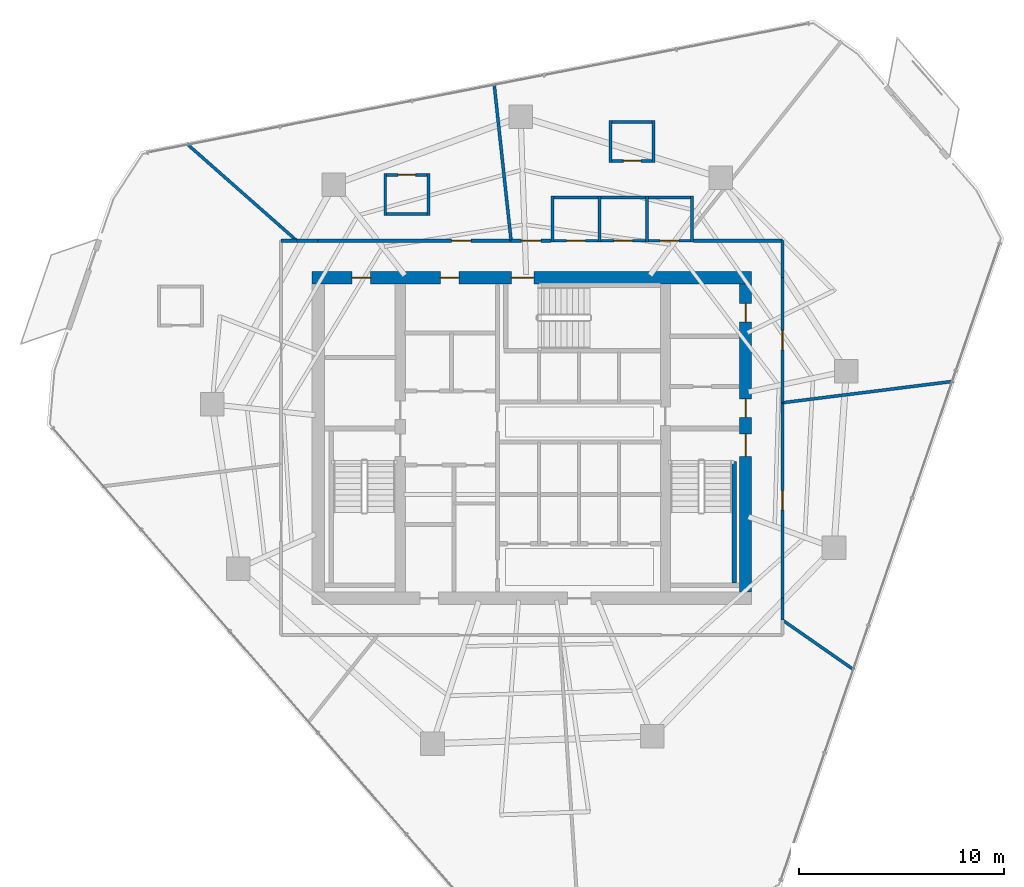
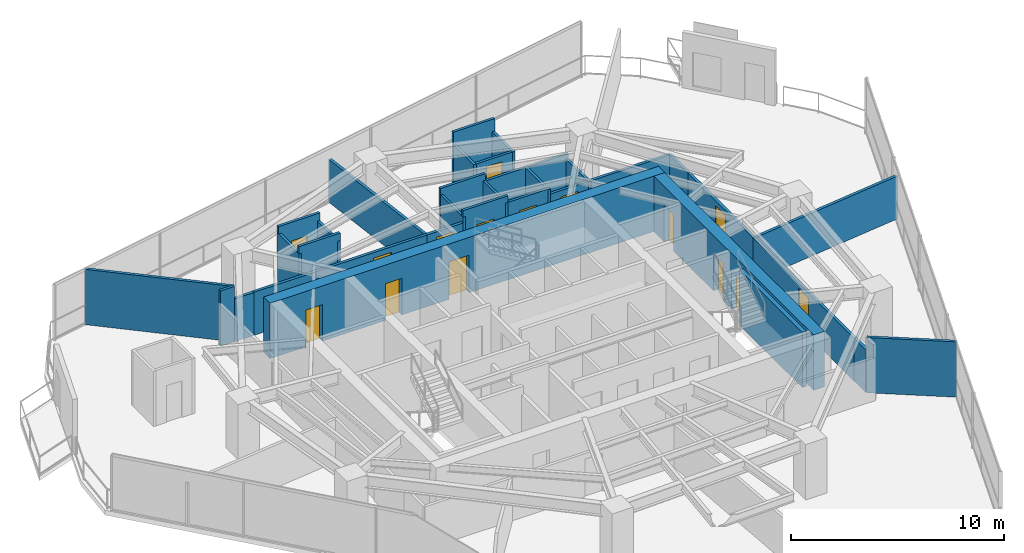
# One storey, part 24 of 27: 34 walls, 15 doors, 15 openings.
"""IFC4 building model written with IfcOpenShell, lengths in metres."""

from ifc_helpers import new_model, si_unit, direction, frame, frame_2d, origin, place, context, subcontext, project, spatial, rectangle, extrude, material, layer, layer_set, type_object, element, fill, save


model = new_model("IFC4")

# Units and contexts
model_context = context("Model", 3, precision=1e-05, world=origin(), true_north=direction((0.0, 1.0)))
body_context = subcontext(model_context, "Body", "Model", "MODEL_VIEW")
ifc_project = project(units=[si_unit("LENGTHUNIT", "METRE"), si_unit("AREAUNIT", "SQUARE_METRE"), si_unit("VOLUMEUNIT", "CUBIC_METRE"), si_unit("PLANEANGLEUNIT", "RADIAN"), si_unit("MASSUNIT", "GRAM", prefix="KILO")], contexts=[model_context])

# Site, building, storey
site_placement = place(None, origin())
site = spatial("IfcSite", under=ifc_project, at=site_placement, CompositionType="ELEMENT")
building_placement = place(site_placement, origin())
building = spatial("IfcBuilding", under=site, at=building_placement, Name="Qarnah Convention Tower", CompositionType="ELEMENT")
storey_placement = place(building_placement, frame((0.0, 0.0, 107.39990234375)))
storey = spatial("IfcBuildingStorey", under=building, at=storey_placement, Name="L28", CompositionType="ELEMENT", Elevation=107.39990234375)

# Wall, openings, doors
ifc_material_1 = material(Name="Concrete C60/75", Category="concrete")
ifc_layer_1 = layer(ifc_material_1, 0.60009765625)
ifc_layer_set_1 = layer_set([ifc_layer_1], Name="Concrete C60/75")
wall_type_1 = type_object("IfcWallType", Name="WL-CORE-600", PredefinedType="SHEAR", material=ifc_layer_set_1)
wall_1_placement = place(storey_placement, frame((26.5, 34.199951171875, 0.0), z_axis=(0.0, 0.0, 1.0), x_axis=(1.0, 0.0, 0.0)))
wall_1 = element("IfcWall", 1, at=wall_1_placement, inside=storey, type_object=wall_type_1, Name="L28 core north shear wall", PredefinedType="SHEAR", context=body_context, shape_type="SweptSolid", body=[
    extrude(rectangle(XDim=21.39990234375, YDim=0.60009765625, at=frame_2d((10.699951171875, 0.0))), origin(), (0.0, 0.0, 1.0), 3.170166015625),
])
opening_1_placement = place(wall_1_placement, frame((9.699951171875, 0.0, 0.0)))
opening_1 = element("IfcOpeningElement", 2, at=opening_1_placement, cuts=wall_1, Name="Opening D-2803", PredefinedType="OPENING", context=body_context, shape_type="SweptSolid", body=[
    extrude(rectangle(XDim=1.10009765625, YDim=2.14990234375, at=frame_2d((0.550048828125, 1.074951171875))), frame((0.0, 0.31005859375, 0.0), z_axis=(0.0, -1.0, 0.0), x_axis=(1.0, 0.0, 0.0)), (0.0, 0.0, 1.0), 0.6201171875),
])
opening_2_placement = place(wall_1_placement, frame((1.949951171875, 0.0, 0.0)))
opening_2 = element("IfcOpeningElement", 3, at=opening_2_placement, cuts=wall_1, Name="Opening D-2809", PredefinedType="OPENING", context=body_context, shape_type="SweptSolid", body=[
    extrude(rectangle(XDim=0.89990234375, YDim=2.10009765625, at=frame_2d((0.449951171875, 1.050048828125))), frame((0.0, 0.31005859375, 0.0), z_axis=(0.0, -1.0, 0.0), x_axis=(1.0, 0.0, 0.0)), (0.0, 0.0, 1.0), 0.6201171875),
])
opening_3_placement = place(wall_1_placement, frame((6.25, 0.0, 0.0)))
opening_3 = element("IfcOpeningElement", 4, at=opening_3_placement, cuts=wall_1, Name="Opening D-2810", PredefinedType="OPENING", context=body_context, shape_type="SweptSolid", body=[
    extrude(rectangle(XDim=0.89990234375, YDim=2.10009765625, at=frame_2d((0.449951171875, 1.050048828125))), frame((0.0, 0.31005859375, 0.0), z_axis=(0.0, -1.0, 0.0), x_axis=(1.0, 0.0, 0.0)), (0.0, 0.0, 1.0), 0.6201171875),
])
ifc_material_2 = material(Name="Structural steel S355JR", Category="steel")
door_type_1 = type_object("IfcDoorType", Name="DT-RISER-900", OperationType="NOTDEFINED", PredefinedType="DOOR", material=ifc_material_2)
door_1_placement = place(opening_2_placement, origin())
door_1 = element("IfcDoor", 5, at=door_1_placement, inside=storey, type_object=door_type_1, Name="Door D-2809", OperationType="SINGLE_SWING_RIGHT", OverallHeight=2.10009765625, OverallWidth=0.89990234375, PredefinedType="DOOR", context=body_context, shape_type="SweptSolid", body=[
    extrude(rectangle(XDim=0.89990234375, YDim=2.10009765625, at=frame_2d((0.449951171875, 1.050048828125))), frame((0.0, 0.02490234375, 0.0), z_axis=(0.0, -1.0, 0.0), x_axis=(1.0, 0.0, 0.0)), (0.0, 0.0, 1.0), 0.050048828125),
])
fill(opening_2, door_1)
door_2_placement = place(opening_3_placement, origin())
door_2 = element("IfcDoor", 6, at=door_2_placement, inside=storey, type_object=door_type_1, Name="Door D-2810", OperationType="SINGLE_SWING_LEFT", OverallHeight=2.10009765625, OverallWidth=0.89990234375, PredefinedType="DOOR", context=body_context, shape_type="SweptSolid", body=[
    extrude(rectangle(XDim=0.89990234375, YDim=2.10009765625, at=frame_2d((0.449951171875, 1.050048828125))), frame((0.0, 0.02490234375, 0.0), z_axis=(0.0, -1.0, 0.0), x_axis=(1.0, 0.0, 0.0)), (0.0, 0.0, 1.0), 0.050048828125),
])
fill(opening_3, door_2)
door_type_2 = type_object("IfcDoorType", Name="DT-STAIR-1100", OperationType="NOTDEFINED", PredefinedType="DOOR", material=ifc_material_2)
door_3_placement = place(opening_1_placement, origin())
door_3 = element("IfcDoor", 7, at=door_3_placement, inside=storey, type_object=door_type_2, Name="Door D-2803", OperationType="SINGLE_SWING_RIGHT", OverallHeight=2.14990234375, OverallWidth=1.10009765625, PredefinedType="DOOR", context=body_context, shape_type="SweptSolid", body=[
    extrude(rectangle(XDim=1.10009765625, YDim=2.14990234375, at=frame_2d((0.550048828125, 1.074951171875))), frame((0.0, 0.02490234375, 0.0), z_axis=(0.0, -1.0, 0.0), x_axis=(1.0, 0.0, 0.0)), (0.0, 0.0, 1.0), 0.050048828125),
])
fill(opening_1, door_3)

wall_2_placement = place(storey_placement, frame((47.60009765625, 18.89990234375, 0.0), z_axis=(0.0, 0.0, 1.0), x_axis=(0.0, 1.0, 0.0)))
wall_2 = element("IfcWall", 8, at=wall_2_placement, inside=storey, type_object=wall_type_1, Name="L28 core east shear wall", PredefinedType="SHEAR", context=body_context, shape_type="SweptSolid", body=[
    extrude(rectangle(XDim=15.0, YDim=0.60009765625, at=frame_2d((7.5, 0.0))), origin(), (0.0, 0.0, 1.0), 3.170166015625),
])
opening_4_placement = place(wall_2_placement, frame((6.60009765625, 0.0, 0.0)))
opening_4 = element("IfcOpeningElement", 9, at=opening_4_placement, cuts=wall_2, Name="Opening D-2802", PredefinedType="OPENING", context=body_context, shape_type="SweptSolid", body=[
    extrude(rectangle(XDim=1.10009765625, YDim=2.14990234375, at=frame_2d((0.550048828125, 1.074951171875))), frame((0.0, 0.31005859375, 0.0), z_axis=(0.0, -1.0, 0.0), x_axis=(1.0, 0.0, 0.0)), (0.0, 0.0, 1.0), 0.6201171875),
])
opening_5_placement = place(wall_2_placement, frame((8.5, 0.0, 0.0)))
opening_5 = element("IfcOpeningElement", 10, at=opening_5_placement, cuts=wall_2, Name="Opening D-2806", PredefinedType="OPENING", context=body_context, shape_type="SweptSolid", body=[
    extrude(rectangle(XDim=0.89990234375, YDim=2.10009765625, at=frame_2d((0.449951171875, 1.050048828125))), frame((0.0, 0.31005859375, 0.0), z_axis=(0.0, -1.0, 0.0), x_axis=(1.0, 0.0, 0.0)), (0.0, 0.0, 1.0), 0.6201171875),
])
opening_6_placement = place(wall_2_placement, frame((13.14990234375, 0.0, 0.0)))
opening_6 = element("IfcOpeningElement", 11, at=opening_6_placement, cuts=wall_2, Name="Opening D-2812", PredefinedType="OPENING", context=body_context, shape_type="SweptSolid", body=[
    extrude(rectangle(XDim=0.89990234375, YDim=2.10009765625, at=frame_2d((0.449951171875, 1.050048828125))), frame((0.0, 0.31005859375, 0.0), z_axis=(0.0, -1.0, 0.0), x_axis=(1.0, 0.0, 0.0)), (0.0, 0.0, 1.0), 0.6201171875),
])
door_4_placement = place(opening_5_placement, origin())
door_4 = element("IfcDoor", 12, at=door_4_placement, inside=storey, type_object=door_type_1, Name="Door D-2806", OperationType="SINGLE_SWING_LEFT", OverallHeight=2.10009765625, OverallWidth=0.89990234375, PredefinedType="DOOR", context=body_context, shape_type="SweptSolid", body=[
    extrude(rectangle(XDim=0.89990234375, YDim=2.10009765625, at=frame_2d((0.449951171875, 1.050048828125))), frame((0.0, 0.02490234375, 0.0), z_axis=(0.0, -1.0, 0.0), x_axis=(1.0, 0.0, 0.0)), (0.0, 0.0, 1.0), 0.050048828125),
])
fill(opening_5, door_4)
door_5_placement = place(opening_6_placement, origin())
door_5 = element("IfcDoor", 13, at=door_5_placement, inside=storey, type_object=door_type_1, Name="Door D-2812", OperationType="SINGLE_SWING_LEFT", OverallHeight=2.10009765625, OverallWidth=0.89990234375, PredefinedType="DOOR", context=body_context, shape_type="SweptSolid", body=[
    extrude(rectangle(XDim=0.89990234375, YDim=2.10009765625, at=frame_2d((0.449951171875, 1.050048828125))), frame((0.0, 0.02490234375, 0.0), z_axis=(0.0, -1.0, 0.0), x_axis=(1.0, 0.0, 0.0)), (0.0, 0.0, 1.0), 0.050048828125),
])
fill(opening_6, door_5)
door_6_placement = place(opening_4_placement, origin())
door_6 = element("IfcDoor", 14, at=door_6_placement, inside=storey, type_object=door_type_2, Name="Door D-2802", OperationType="SINGLE_SWING_LEFT", OverallHeight=2.14990234375, OverallWidth=1.10009765625, PredefinedType="DOOR", context=body_context, shape_type="SweptSolid", body=[
    extrude(rectangle(XDim=1.10009765625, YDim=2.14990234375, at=frame_2d((0.550048828125, 1.074951171875))), frame((0.0, 0.02490234375, 0.0), z_axis=(0.0, -1.0, 0.0), x_axis=(1.0, 0.0, 0.0)), (0.0, 0.0, 1.0), 0.050048828125),
])
fill(opening_4, door_6)

# Walls
ifc_layer_2 = layer(ifc_material_1, 0.219970703125)
ifc_layer_set_2 = layer_set([ifc_layer_2], Name="Concrete C60/75")
wall_type_2 = type_object("IfcWallType", Name="WL-CORE-STAIR-220", PredefinedType="SHEAR", material=ifc_layer_set_2)
wall_3_placement = place(storey_placement, frame((47.06005859375, 19.35009765625, 0.0), z_axis=(0.0, 0.0, 1.0), x_axis=(0.0, 1.0, 0.0)))
element("IfcWall", 15, at=wall_3_placement, inside=storey, type_object=wall_type_2, Name="L28 stair shaft shear wall SW-L28-ST2E", PredefinedType="SHEAR", context=body_context, shape_type="SweptSolid", body=[
    extrude(rectangle(XDim=5.89990234375, YDim=0.219970703125, at=frame_2d((2.949951171875, 0.0))), origin(), (0.0, 0.0, 1.0), 3.170166015625),
])
ifc_material_3 = material(Name="Gypsum partition board")
ifc_layer_3 = layer(ifc_material_3, 0.14990234375)
ifc_layer_set_3 = layer_set([ifc_layer_3], Name="Gypsum partition board")
wall_type_3 = type_object("IfcWallType", Name="WL-SUITE-150", PredefinedType="PARTITIONING", material=ifc_layer_set_3)
wall_4_placement = place(storey_placement, frame((45.070068359375, 36.0, 0.0), z_axis=(0.0, 0.0, 1.0), x_axis=(1.0, 0.0, 0.0)))
element("IfcWall", 16, at=wall_4_placement, inside=storey, type_object=wall_type_3, Name="L28 interior wall IW-L28-R-24", PredefinedType="PARTITIONING", context=body_context, shape_type="SweptSolid", body=[
    extrude(rectangle(XDim=4.329833984375, YDim=0.14990234375, at=frame_2d((2.1650390625, 0.0))), origin(), (0.0, 0.0, 1.0), 2.455078125),
])
wall_5_placement = place(storey_placement, frame((49.39990234375, 36.0, 0.0), z_axis=(0.0, 0.0, 1.0), x_axis=(0.0, -1.0, 0.0)))
element("IfcWall", 17, at=wall_5_placement, inside=storey, type_object=wall_type_3, Name="L28 interior wall IW-L28-R-25", PredefinedType="PARTITIONING", context=body_context, shape_type="SweptSolid", body=[
    extrude(rectangle(XDim=1.800048828125, YDim=0.14990234375, at=frame_2d((0.89990234375, 0.0))), origin(), (0.0, 0.0, 1.0), 2.455078125),
])

# Wall, opening, door
wall_6_placement = place(storey_placement, frame((49.39990234375, 34.199951171875, 0.0), z_axis=(0.0, 0.0, 1.0), x_axis=(0.0, -1.0, 0.0)))
wall_6 = element("IfcWall", 18, at=wall_6_placement, inside=storey, type_object=wall_type_3, Name="L28 interior wall IW-L28-R-26", PredefinedType="PARTITIONING", context=body_context, shape_type="SweptSolid", body=[
    extrude(rectangle(XDim=6.0849609375, YDim=0.14990234375, at=frame_2d((3.04248046875, 0.0))), origin(), (0.0, 0.0, 1.0), 2.455078125),
])
opening_7_placement = place(wall_6_placement, frame((2.568115234375, 0.0, 0.0)))
opening_7 = element("IfcOpeningElement", 19, at=opening_7_placement, cuts=wall_6, Name="Opening D-2819", PredefinedType="OPENING", context=body_context, shape_type="SweptSolid", body=[
    extrude(rectangle(XDim=0.949951171875, YDim=2.14990234375, at=frame_2d((0.47509765625, 1.074951171875))), frame((0.0, 0.0849609375, 0.0), z_axis=(0.0, -1.0, 0.0), x_axis=(1.0, 0.0, 0.0)), (0.0, 0.0, 1.0), 0.169921875),
])
ifc_material_4 = material(Name="Oak timber veneer", Category="wood")
door_type_3 = type_object("IfcDoorType", Name="DT-HOTEL-950", OperationType="NOTDEFINED", PredefinedType="DOOR", material=ifc_material_4)
door_7_placement = place(opening_7_placement, origin())
door_7 = element("IfcDoor", 20, at=door_7_placement, inside=storey, type_object=door_type_3, Name="Door D-2819", OperationType="SINGLE_SWING_RIGHT", OverallHeight=2.14990234375, OverallWidth=0.949951171875, PredefinedType="DOOR", context=body_context, shape_type="SweptSolid", body=[
    extrude(rectangle(XDim=0.949951171875, YDim=2.14990234375, at=frame_2d((0.47509765625, 1.074951171875))), frame((0.0, 0.02490234375, 0.0), z_axis=(0.0, -1.0, 0.0), x_axis=(1.0, 0.0, 0.0)), (0.0, 0.0, 1.0), 0.050048828125),
])
fill(opening_7, door_7)

# Walls
wall_7_placement = place(storey_placement, frame((49.39990234375, 28.114990234375, 0.0), z_axis=(0.0, 0.0, 1.0), x_axis=(0.992264421006, 0.124142332848, 0.0)))
element("IfcWall", 21, at=wall_7_placement, inside=storey, type_object=wall_type_3, Name="L28 interior wall IW-L28-R-27", PredefinedType="PARTITIONING", context=body_context, shape_type="SweptSolid", body=[
    extrude(rectangle(XDim=8.377685546875, YDim=0.14990234375, at=frame_2d((4.18896484375, 0.0))), origin(), (0.0, 0.0, 1.0), 2.455078125),
])
wall_8_placement = place(storey_placement, frame((35.364990234375, 43.6240234375, 0.0), z_axis=(0.0, 0.0, 1.0), x_axis=(0.107702119784, -0.994183209169, 0.0)))
element("IfcWall", 22, at=wall_8_placement, inside=storey, type_object=wall_type_3, Name="L28 interior wall IW-L28-R-28", PredefinedType="PARTITIONING", context=body_context, shape_type="SweptSolid", body=[
    extrude(rectangle(XDim=7.668701171875, YDim=0.14990234375, at=frame_2d((3.83447265625, 0.0))), origin(), (0.0, 0.0, 1.0), 2.455078125),
])

# Wall, opening, door
wall_9_placement = place(storey_placement, frame((36.19091796875, 36.0, 0.0), z_axis=(0.0, 0.0, 1.0), x_axis=(1.0, 0.0, 0.0)))
wall_9 = element("IfcWall", 23, at=wall_9_placement, inside=storey, type_object=wall_type_3, Name="L28 interior wall IW-L28-R-29", PredefinedType="PARTITIONING", context=body_context, shape_type="SweptSolid", body=[
    extrude(rectangle(XDim=1.93896484375, YDim=0.14990234375, at=frame_2d((0.969482421875, 0.0))), origin(), (0.0, 0.0, 1.0), 2.467041015625),
])
opening_8_placement = place(wall_9_placement, frame((0.4951171875, 0.0, 0.0)))
opening_8 = element("IfcOpeningElement", 24, at=opening_8_placement, cuts=wall_9, Name="Opening D-2820", PredefinedType="OPENING", context=body_context, shape_type="SweptSolid", body=[
    extrude(rectangle(XDim=0.949951171875, YDim=2.14990234375, at=frame_2d((0.47509765625, 1.074951171875))), frame((0.0, 0.0849609375, 0.0), z_axis=(0.0, -1.0, 0.0), x_axis=(1.0, 0.0, 0.0)), (0.0, 0.0, 1.0), 0.169921875),
])
door_8_placement = place(opening_8_placement, origin())
door_8 = element("IfcDoor", 25, at=door_8_placement, inside=storey, type_object=door_type_3, Name="Door D-2820", OperationType="SINGLE_SWING_LEFT", OverallHeight=2.14990234375, OverallWidth=0.949951171875, PredefinedType="DOOR", context=body_context, shape_type="SweptSolid", body=[
    extrude(rectangle(XDim=0.949951171875, YDim=2.14990234375, at=frame_2d((0.47509765625, 1.074951171875))), frame((0.0, 0.02490234375, 0.0), z_axis=(0.0, -1.0, 0.0), x_axis=(1.0, 0.0, 0.0)), (0.0, 0.0, 1.0), 0.050048828125),
])
fill(opening_8, door_8)

# Walls
wall_10_placement = place(storey_placement, frame((20.403076171875, 40.722900390625, 0.0), z_axis=(0.0, 0.0, 1.0), x_axis=(0.750042356005, -0.661389797471, 0.0)))
element("IfcWall", 26, at=wall_10_placement, inside=storey, type_object=wall_type_3, Name="L28 interior wall IW-L28-R-30", PredefinedType="PARTITIONING", context=body_context, shape_type="SweptSolid", body=[
    extrude(rectangle(XDim=7.140869140625, YDim=0.14990234375, at=frame_2d((3.5703125, 0.0))), origin(), (0.0, 0.0, 1.0), 3.170166015625),
])
wall_11_placement = place(storey_placement, frame((25.759033203125, 36.0, 0.0), z_axis=(0.0, 0.0, 1.0), x_axis=(1.0, 0.0, 0.0)))
element("IfcWall", 27, at=wall_11_placement, inside=storey, type_object=wall_type_3, Name="L28 interior wall IW-L28-R-31", PredefinedType="PARTITIONING", context=body_context, shape_type="SweptSolid", body=[
    extrude(rectangle(XDim=1.041015625, YDim=0.14990234375, at=frame_2d((0.5205078125, 0.0))), origin(), (0.0, 0.0, 1.0), 2.455078125),
])

# Wall, opening, door
wall_12_placement = place(storey_placement, frame((26.800048828125, 36.0, 0.0), z_axis=(0.0, 0.0, 1.0), x_axis=(1.0, 0.0, 0.0)))
wall_12 = element("IfcWall", 28, at=wall_12_placement, inside=storey, type_object=wall_type_3, Name="L28 interior wall IW-L28-R-32", PredefinedType="PARTITIONING", context=body_context, shape_type="SweptSolid", body=[
    extrude(rectangle(XDim=9.390869140625, YDim=0.14990234375, at=frame_2d((4.6953125, 0.0))), origin(), (0.0, 0.0, 1.0), 2.467041015625),
])
opening_9_placement = place(wall_12_placement, frame((6.4951171875, 0.0, 0.0)))
opening_9 = element("IfcOpeningElement", 29, at=opening_9_placement, cuts=wall_12, Name="Opening D-2822", PredefinedType="OPENING", context=body_context, shape_type="SweptSolid", body=[
    extrude(rectangle(XDim=0.949951171875, YDim=2.14990234375, at=frame_2d((0.47509765625, 1.074951171875))), frame((0.0, 0.0849609375, 0.0), z_axis=(0.0, -1.0, 0.0), x_axis=(1.0, 0.0, 0.0)), (0.0, 0.0, 1.0), 0.169921875),
])
door_9_placement = place(opening_9_placement, origin())
door_9 = element("IfcDoor", 30, at=door_9_placement, inside=storey, type_object=door_type_3, Name="Door D-2822", OperationType="SINGLE_SWING_LEFT", OverallHeight=2.14990234375, OverallWidth=0.949951171875, PredefinedType="DOOR", context=body_context, shape_type="SweptSolid", body=[
    extrude(rectangle(XDim=0.949951171875, YDim=2.14990234375, at=frame_2d((0.47509765625, 1.074951171875))), frame((0.0, 0.02490234375, 0.0), z_axis=(0.0, -1.0, 0.0), x_axis=(1.0, 0.0, 0.0)), (0.0, 0.0, 1.0), 0.050048828125),
])
fill(opening_9, door_9)

# Walls
wall_13_placement = place(storey_placement, frame((25.0, 36.0, 0.0), z_axis=(0.0, 0.0, 1.0), x_axis=(1.0, 0.0, 0.0)))
element("IfcWall", 31, at=wall_13_placement, inside=storey, type_object=wall_type_3, Name="L28 interior wall IW-L28-R-35", PredefinedType="PARTITIONING", context=body_context, shape_type="SweptSolid", body=[
    extrude(rectangle(XDim=0.759033203125, YDim=0.14990234375, at=frame_2d((0.37939453125, 0.0))), origin(), (0.0, 0.0, 1.0), 3.170166015625),
])
wall_14_placement = place(storey_placement, frame((52.882080078125, 15.10791015625, 0.0), z_axis=(0.0, 0.0, 1.0), x_axis=(-0.82028696704, 0.571952176065, 0.0)))
element("IfcWall", 32, at=wall_14_placement, inside=storey, type_object=wall_type_3, Name="L28 interior wall IW-L28-R-42", PredefinedType="PARTITIONING", context=body_context, shape_type="SweptSolid", body=[
    extrude(rectangle(XDim=4.2451171875, YDim=0.14990234375, at=frame_2d((2.12255859375, 0.0))), origin(), (0.0, 0.0, 1.0), 3.170166015625),
])

# Wall, opening, door
wall_15_placement = place(storey_placement, frame((49.39990234375, 28.114990234375, 0.0), z_axis=(0.0, 0.0, 1.0), x_axis=(0.0, -1.0, 0.0)))
wall_15 = element("IfcWall", 33, at=wall_15_placement, inside=storey, type_object=wall_type_3, Name="L28 interior wall IW-L28-R-45", PredefinedType="PARTITIONING", context=body_context, shape_type="SweptSolid", body=[
    extrude(rectangle(XDim=9.514892578125, YDim=0.14990234375, at=frame_2d((4.75732421875, 0.0))), origin(), (0.0, 0.0, 1.0), 2.455078125),
])
opening_10_placement = place(wall_15_placement, frame((4.281982421875, 0.0, 0.0)))
opening_10 = element("IfcOpeningElement", 34, at=opening_10_placement, cuts=wall_15, Name="Opening D-2829", PredefinedType="OPENING", context=body_context, shape_type="SweptSolid", body=[
    extrude(rectangle(XDim=0.949951171875, YDim=2.14990234375, at=frame_2d((0.47509765625, 1.074951171875))), frame((0.0, 0.0849609375, 0.0), z_axis=(0.0, -1.0, 0.0), x_axis=(1.0, 0.0, 0.0)), (0.0, 0.0, 1.0), 0.169921875),
])
door_10_placement = place(opening_10_placement, origin())
door_10 = element("IfcDoor", 35, at=door_10_placement, inside=storey, type_object=door_type_3, Name="Door D-2829", OperationType="SINGLE_SWING_RIGHT", OverallHeight=2.14990234375, OverallWidth=0.949951171875, PredefinedType="DOOR", context=body_context, shape_type="SweptSolid", body=[
    extrude(rectangle(XDim=0.949951171875, YDim=2.14990234375, at=frame_2d((0.47509765625, 1.074951171875))), frame((0.0, 0.02490234375, 0.0), z_axis=(0.0, -1.0, 0.0), x_axis=(1.0, 0.0, 0.0)), (0.0, 0.0, 1.0), 0.050048828125),
])
fill(opening_10, door_10)

# Wall
wall_16_placement = place(storey_placement, frame((49.39990234375, 18.60009765625, 0.0), z_axis=(0.0, 0.0, 1.0), x_axis=(0.0, -1.0, 0.0)))
element("IfcWall", 36, at=wall_16_placement, inside=storey, type_object=wall_type_3, Name="L28 interior wall IW-L28-R-46", PredefinedType="PARTITIONING", context=body_context, shape_type="SweptSolid", body=[
    extrude(rectangle(XDim=1.064208984375, YDim=0.14990234375, at=frame_2d((0.5322265625, 0.0))), origin(), (0.0, 0.0, 1.0), 2.455078125),
])

# Wall, opening, door
ifc_layer_4 = layer(ifc_material_3, 0.139892578125)
ifc_layer_set_4 = layer_set([ifc_layer_4], Name="Gypsum partition board")
wall_type_4 = type_object("IfcWallType", Name="WL-WET-140", PredefinedType="PARTITIONING", material=ifc_layer_set_4)
wall_17_placement = place(storey_placement, frame((38.1298828125, 36.0, 0.0), z_axis=(0.0, 0.0, 1.0), x_axis=(1.0, 0.0, 0.0)))
wall_17 = element("IfcWall", 37, at=wall_17_placement, inside=storey, type_object=wall_type_4, Name="L28 interior wall IW-L28-WCM-1", PredefinedType="PARTITIONING", context=body_context, shape_type="SweptSolid", body=[
    extrude(rectangle(XDim=2.440185546875, YDim=0.139892578125, at=frame_2d((1.22021484375, 0.0))), origin(), (0.0, 0.0, 1.0), 3.170166015625),
])
opening_11_placement = place(wall_17_placement, frame((0.760009765625, 0.0, 0.0)))
opening_11 = element("IfcOpeningElement", 38, at=opening_11_placement, cuts=wall_17, Name="Opening D-2816", PredefinedType="OPENING", context=body_context, shape_type="SweptSolid", body=[
    extrude(rectangle(XDim=0.919921875, YDim=2.10009765625, at=frame_2d((0.4599609375, 1.050048828125))), frame((0.0, 0.079833984375, 0.0), z_axis=(0.0, -1.0, 0.0), x_axis=(1.0, 0.0, 0.0)), (0.0, 0.0, 1.0), 0.159912109375),
])
door_type_4 = type_object("IfcDoorType", Name="DT-WC-920", OperationType="NOTDEFINED", PredefinedType="DOOR", material=ifc_material_4)
door_11_placement = place(opening_11_placement, origin())
door_11 = element("IfcDoor", 39, at=door_11_placement, inside=storey, type_object=door_type_4, Name="Door D-2816", OperationType="SINGLE_SWING_LEFT", OverallHeight=2.10009765625, OverallWidth=0.919921875, PredefinedType="DOOR", context=body_context, shape_type="SweptSolid", body=[
    extrude(rectangle(XDim=0.919921875, YDim=2.10009765625, at=frame_2d((0.4599609375, 1.050048828125))), frame((0.0, 0.02490234375, 0.0), z_axis=(0.0, -1.0, 0.0), x_axis=(1.0, 0.0, 0.0)), (0.0, 0.0, 1.0), 0.050048828125),
])
fill(opening_11, door_11)

# Walls
wall_18_placement = place(storey_placement, frame((40.5, 35.929931640625, 0.0), z_axis=(0.0, 0.0, 1.0), x_axis=(0.0, 1.0, 0.0)))
element("IfcWall", 40, at=wall_18_placement, inside=storey, type_object=wall_type_4, Name="L28 interior wall IW-L28-WCM-2", PredefinedType="PARTITIONING", context=body_context, shape_type="SweptSolid", body=[
    extrude(rectangle(XDim=2.239990234375, YDim=0.139892578125, at=frame_2d((1.1201171875, 0.0))), origin(), (0.0, 0.0, 1.0), 2.799072265625),
])
wall_19_placement = place(storey_placement, frame((40.570068359375, 38.10009765625, 0.0), z_axis=(0.0, 0.0, 1.0), x_axis=(-1.0, 0.0, 0.0)))
element("IfcWall", 41, at=wall_19_placement, inside=storey, type_object=wall_type_4, Name="L28 interior wall IW-L28-WCM-3", PredefinedType="PARTITIONING", context=body_context, shape_type="SweptSolid", body=[
    extrude(rectangle(XDim=2.440185546875, YDim=0.139892578125, at=frame_2d((1.22021484375, 0.0))), origin(), (0.0, 0.0, 1.0), 3.170166015625),
])
wall_20_placement = place(storey_placement, frame((38.199951171875, 38.169921875, 0.0), z_axis=(0.0, 0.0, 1.0), x_axis=(0.0, -1.0, 0.0)))
element("IfcWall", 42, at=wall_20_placement, inside=storey, type_object=wall_type_4, Name="L28 interior wall IW-L28-WCM-4", PredefinedType="PARTITIONING", context=body_context, shape_type="SweptSolid", body=[
    extrude(rectangle(XDim=2.239990234375, YDim=0.139892578125, at=frame_2d((1.1201171875, 0.0))), origin(), (0.0, 0.0, 1.0), 2.799072265625),
])

# Wall, opening, door
wall_21_placement = place(storey_placement, frame((40.429931640625, 36.0, 0.0), z_axis=(0.0, 0.0, 1.0), x_axis=(1.0, 0.0, 0.0)))
wall_21 = element("IfcWall", 43, at=wall_21_placement, inside=storey, type_object=wall_type_4, Name="L28 interior wall IW-L28-WCF-1", PredefinedType="PARTITIONING", context=body_context, shape_type="SweptSolid", body=[
    extrude(rectangle(XDim=2.440185546875, YDim=0.139892578125, at=frame_2d((1.22021484375, 0.0))), origin(), (0.0, 0.0, 1.0), 2.799072265625),
])
opening_12_placement = place(wall_21_placement, frame((0.760009765625, 0.0, 0.0)))
opening_12 = element("IfcOpeningElement", 44, at=opening_12_placement, cuts=wall_21, Name="Opening D-2817", PredefinedType="OPENING", context=body_context, shape_type="SweptSolid", body=[
    extrude(rectangle(XDim=0.919921875, YDim=2.10009765625, at=frame_2d((0.4599609375, 1.050048828125))), frame((0.0, 0.079833984375, 0.0), z_axis=(0.0, -1.0, 0.0), x_axis=(1.0, 0.0, 0.0)), (0.0, 0.0, 1.0), 0.159912109375),
])
door_12_placement = place(opening_12_placement, origin())
door_12 = element("IfcDoor", 45, at=door_12_placement, inside=storey, type_object=door_type_4, Name="Door D-2817", OperationType="SINGLE_SWING_RIGHT", OverallHeight=2.10009765625, OverallWidth=0.919921875, PredefinedType="DOOR", context=body_context, shape_type="SweptSolid", body=[
    extrude(rectangle(XDim=0.919921875, YDim=2.10009765625, at=frame_2d((0.4599609375, 1.050048828125))), frame((0.0, 0.02490234375, 0.0), z_axis=(0.0, -1.0, 0.0), x_axis=(1.0, 0.0, 0.0)), (0.0, 0.0, 1.0), 0.050048828125),
])
fill(opening_12, door_12)

# Walls
wall_22_placement = place(storey_placement, frame((42.800048828125, 35.929931640625, 0.0), z_axis=(0.0, 0.0, 1.0), x_axis=(0.0, 1.0, 0.0)))
element("IfcWall", 46, at=wall_22_placement, inside=storey, type_object=wall_type_4, Name="L28 interior wall IW-L28-WCF-2", PredefinedType="PARTITIONING", context=body_context, shape_type="SweptSolid", body=[
    extrude(rectangle(XDim=2.239990234375, YDim=0.139892578125, at=frame_2d((1.1201171875, 0.0))), origin(), (0.0, 0.0, 1.0), 2.7470703125),
])
wall_23_placement = place(storey_placement, frame((42.8701171875, 38.10009765625, 0.0), z_axis=(0.0, 0.0, 1.0), x_axis=(-1.0, 0.0, 0.0)))
element("IfcWall", 47, at=wall_23_placement, inside=storey, type_object=wall_type_4, Name="L28 interior wall IW-L28-WCF-3", PredefinedType="PARTITIONING", context=body_context, shape_type="SweptSolid", body=[
    extrude(rectangle(XDim=2.440185546875, YDim=0.139892578125, at=frame_2d((1.22021484375, 0.0))), origin(), (0.0, 0.0, 1.0), 2.7470703125),
])

# Wall, opening, door
wall_24_placement = place(storey_placement, frame((42.72998046875, 36.0, 0.0), z_axis=(0.0, 0.0, 1.0), x_axis=(1.0, 0.0, 0.0)))
wall_24 = element("IfcWall", 48, at=wall_24_placement, inside=storey, type_object=wall_type_4, Name="L28 interior wall IW-L28-WCA-1", PredefinedType="PARTITIONING", context=body_context, shape_type="SweptSolid", body=[
    extrude(rectangle(XDim=2.340087890625, YDim=0.139892578125, at=frame_2d((1.169921875, 0.0))), origin(), (0.0, 0.0, 1.0), 2.467041015625),
])
opening_13_placement = place(wall_24_placement, frame((0.7099609375, 0.0, 0.0)))
opening_13 = element("IfcOpeningElement", 49, at=opening_13_placement, cuts=wall_24, Name="Opening D-2818", PredefinedType="OPENING", context=body_context, shape_type="SweptSolid", body=[
    extrude(rectangle(XDim=0.919921875, YDim=2.10009765625, at=frame_2d((0.4599609375, 1.050048828125))), frame((0.0, 0.079833984375, 0.0), z_axis=(0.0, -1.0, 0.0), x_axis=(1.0, 0.0, 0.0)), (0.0, 0.0, 1.0), 0.159912109375),
])
door_13_placement = place(opening_13_placement, origin())
door_13 = element("IfcDoor", 50, at=door_13_placement, inside=storey, type_object=door_type_4, Name="Door D-2818", OperationType="SINGLE_SWING_LEFT", OverallHeight=2.10009765625, OverallWidth=0.919921875, PredefinedType="DOOR", context=body_context, shape_type="SweptSolid", body=[
    extrude(rectangle(XDim=0.919921875, YDim=2.10009765625, at=frame_2d((0.4599609375, 1.050048828125))), frame((0.0, 0.02490234375, 0.0), z_axis=(0.0, -1.0, 0.0), x_axis=(1.0, 0.0, 0.0)), (0.0, 0.0, 1.0), 0.050048828125),
])
fill(opening_13, door_13)

# Walls
wall_25_placement = place(storey_placement, frame((45.0, 35.929931640625, 0.0), z_axis=(0.0, 0.0, 1.0), x_axis=(0.0, 1.0, 0.0)))
element("IfcWall", 51, at=wall_25_placement, inside=storey, type_object=wall_type_4, Name="L28 interior wall IW-L28-WCA-2", PredefinedType="PARTITIONING", context=body_context, shape_type="SweptSolid", body=[
    extrude(rectangle(XDim=2.239990234375, YDim=0.139892578125, at=frame_2d((1.1201171875, 0.0))), origin(), (0.0, 0.0, 1.0), 2.467041015625),
])
wall_26_placement = place(storey_placement, frame((45.070068359375, 38.10009765625, 0.0), z_axis=(0.0, 0.0, 1.0), x_axis=(-1.0, 0.0, 0.0)))
element("IfcWall", 52, at=wall_26_placement, inside=storey, type_object=wall_type_4, Name="L28 interior wall IW-L28-WCA-3", PredefinedType="PARTITIONING", context=body_context, shape_type="SweptSolid", body=[
    extrude(rectangle(XDim=2.340087890625, YDim=0.139892578125, at=frame_2d((1.169921875, 0.0))), origin(), (0.0, 0.0, 1.0), 2.7470703125),
])

# Wall, opening, door
wall_27_placement = place(storey_placement, frame((40.9599609375, 39.885009765625, 0.0), z_axis=(0.0, 0.0, 1.0), x_axis=(1.0, 0.0, 0.0)))
wall_27 = element("IfcWall", 53, at=wall_27_placement, inside=storey, type_object=wall_type_4, Name="L28 interior wall IW-L28-ENS01-1", PredefinedType="PARTITIONING", context=body_context, shape_type="SweptSolid", body=[
    extrude(rectangle(XDim=2.239990234375, YDim=0.139892578125, at=frame_2d((1.1201171875, 0.0))), origin(), (0.0, 0.0, 1.0), 2.455078125),
])
opening_14_placement = place(wall_27_placement, frame((0.695068359375, 0.0, 0.0)))
opening_14 = element("IfcOpeningElement", 54, at=opening_14_placement, cuts=wall_27, Name="Opening D-2821", PredefinedType="OPENING", context=body_context, shape_type="SweptSolid", body=[
    extrude(rectangle(XDim=0.85009765625, YDim=2.10009765625, at=frame_2d((0.425048828125, 1.050048828125))), frame((0.0, 0.079833984375, 0.0), z_axis=(0.0, -1.0, 0.0), x_axis=(1.0, 0.0, 0.0)), (0.0, 0.0, 1.0), 0.159912109375),
])
door_type_5 = type_object("IfcDoorType", Name="DT-BATH-850", OperationType="NOTDEFINED", PredefinedType="DOOR", material=ifc_material_4)
door_14_placement = place(opening_14_placement, origin())
door_14 = element("IfcDoor", 55, at=door_14_placement, inside=storey, type_object=door_type_5, Name="Door D-2821", OperationType="SINGLE_SWING_RIGHT", OverallHeight=2.10009765625, OverallWidth=0.85009765625, PredefinedType="DOOR", context=body_context, shape_type="SweptSolid", body=[
    extrude(rectangle(XDim=0.85009765625, YDim=2.10009765625, at=frame_2d((0.425048828125, 1.050048828125))), frame((0.0, 0.02490234375, 0.0), z_axis=(0.0, -1.0, 0.0), x_axis=(1.0, 0.0, 0.0)), (0.0, 0.0, 1.0), 0.050048828125),
])
fill(opening_14, door_14)

# Walls
wall_28_placement = place(storey_placement, frame((43.1298828125, 39.81494140625, 0.0), z_axis=(0.0, 0.0, 1.0), x_axis=(0.0, 1.0, 0.0)))
element("IfcWall", 56, at=wall_28_placement, inside=storey, type_object=wall_type_4, Name="L28 interior wall IW-L28-ENS01-2", PredefinedType="PARTITIONING", context=body_context, shape_type="SweptSolid", body=[
    extrude(rectangle(XDim=2.0400390625, YDim=0.139892578125, at=frame_2d((1.02001953125, 0.0))), origin(), (0.0, 0.0, 1.0), 2.455078125),
])
wall_29_placement = place(storey_placement, frame((43.199951171875, 41.784912109375, 0.0), z_axis=(0.0, 0.0, 1.0), x_axis=(-1.0, 0.0, 0.0)))
element("IfcWall", 57, at=wall_29_placement, inside=storey, type_object=wall_type_4, Name="L28 interior wall IW-L28-ENS01-3", PredefinedType="PARTITIONING", context=body_context, shape_type="SweptSolid", body=[
    extrude(rectangle(XDim=2.239990234375, YDim=0.139892578125, at=frame_2d((1.1201171875, 0.0))), origin(), (0.0, 0.0, 1.0), 3.170166015625),
])
wall_30_placement = place(storey_placement, frame((41.030029296875, 41.85498046875, 0.0), z_axis=(0.0, 0.0, 1.0), x_axis=(0.0, -1.0, 0.0)))
element("IfcWall", 58, at=wall_30_placement, inside=storey, type_object=wall_type_4, Name="L28 interior wall IW-L28-ENS01-4", PredefinedType="PARTITIONING", context=body_context, shape_type="SweptSolid", body=[
    extrude(rectangle(XDim=2.0400390625, YDim=0.139892578125, at=frame_2d((1.02001953125, 0.0))), origin(), (0.0, 0.0, 1.0), 2.455078125),
])
wall_31_placement = place(storey_placement, frame((29.99609375, 37.300048828125, 0.0), z_axis=(0.0, 0.0, 1.0), x_axis=(1.0, 0.0, 0.0)))
element("IfcWall", 59, at=wall_31_placement, inside=storey, type_object=wall_type_4, Name="L28 interior wall IW-L28-ENS02-1", PredefinedType="PARTITIONING", context=body_context, shape_type="SweptSolid", body=[
    extrude(rectangle(XDim=2.239990234375, YDim=0.139892578125, at=frame_2d((1.1201171875, 0.0))), origin(), (0.0, 0.0, 1.0), 3.170166015625),
])
wall_32_placement = place(storey_placement, frame((32.166015625, 37.22998046875, 0.0), z_axis=(0.0, 0.0, 1.0), x_axis=(0.0, 1.0, 0.0)))
element("IfcWall", 60, at=wall_32_placement, inside=storey, type_object=wall_type_4, Name="L28 interior wall IW-L28-ENS02-2", PredefinedType="PARTITIONING", context=body_context, shape_type="SweptSolid", body=[
    extrude(rectangle(XDim=2.0400390625, YDim=0.139892578125, at=frame_2d((1.02001953125, 0.0))), origin(), (0.0, 0.0, 1.0), 2.7470703125),
])

# Wall, opening, door
wall_33_placement = place(storey_placement, frame((32.236083984375, 39.199951171875, 0.0), z_axis=(0.0, 0.0, 1.0), x_axis=(-1.0, 0.0, 0.0)))
wall_33 = element("IfcWall", 61, at=wall_33_placement, inside=storey, type_object=wall_type_4, Name="L28 interior wall IW-L28-ENS02-3", PredefinedType="PARTITIONING", context=body_context, shape_type="SweptSolid", body=[
    extrude(rectangle(XDim=2.239990234375, YDim=0.139892578125, at=frame_2d((1.1201171875, 0.0))), origin(), (0.0, 0.0, 1.0), 3.170166015625),
])
opening_15_placement = place(wall_33_placement, frame((0.695068359375, 0.0, 0.0)))
opening_15 = element("IfcOpeningElement", 62, at=opening_15_placement, cuts=wall_33, Name="Opening D-2823", PredefinedType="OPENING", context=body_context, shape_type="SweptSolid", body=[
    extrude(rectangle(XDim=0.85009765625, YDim=2.10009765625, at=frame_2d((0.425048828125, 1.050048828125))), frame((0.0, 0.079833984375, 0.0), z_axis=(0.0, -1.0, 0.0), x_axis=(1.0, 0.0, 0.0)), (0.0, 0.0, 1.0), 0.159912109375),
])
door_15_placement = place(opening_15_placement, origin())
door_15 = element("IfcDoor", 63, at=door_15_placement, inside=storey, type_object=door_type_5, Name="Door D-2823", OperationType="SINGLE_SWING_RIGHT", OverallHeight=2.10009765625, OverallWidth=0.85009765625, PredefinedType="DOOR", context=body_context, shape_type="SweptSolid", body=[
    extrude(rectangle(XDim=0.85009765625, YDim=2.10009765625, at=frame_2d((0.425048828125, 1.050048828125))), frame((0.0, 0.02490234375, 0.0), z_axis=(0.0, -1.0, 0.0), x_axis=(1.0, 0.0, 0.0)), (0.0, 0.0, 1.0), 0.050048828125),
])
fill(opening_15, door_15)

# Wall
wall_34_placement = place(storey_placement, frame((30.06591796875, 39.27001953125, 0.0), z_axis=(0.0, 0.0, 1.0), x_axis=(0.0, -1.0, 0.0)))
element("IfcWall", 64, at=wall_34_placement, inside=storey, type_object=wall_type_4, Name="L28 interior wall IW-L28-ENS02-4", PredefinedType="PARTITIONING", context=body_context, shape_type="SweptSolid", body=[
    extrude(rectangle(XDim=2.0400390625, YDim=0.139892578125, at=frame_2d((1.02001953125, 0.0))), origin(), (0.0, 0.0, 1.0), 2.7470703125),
])

save(model, "model.ifc")
